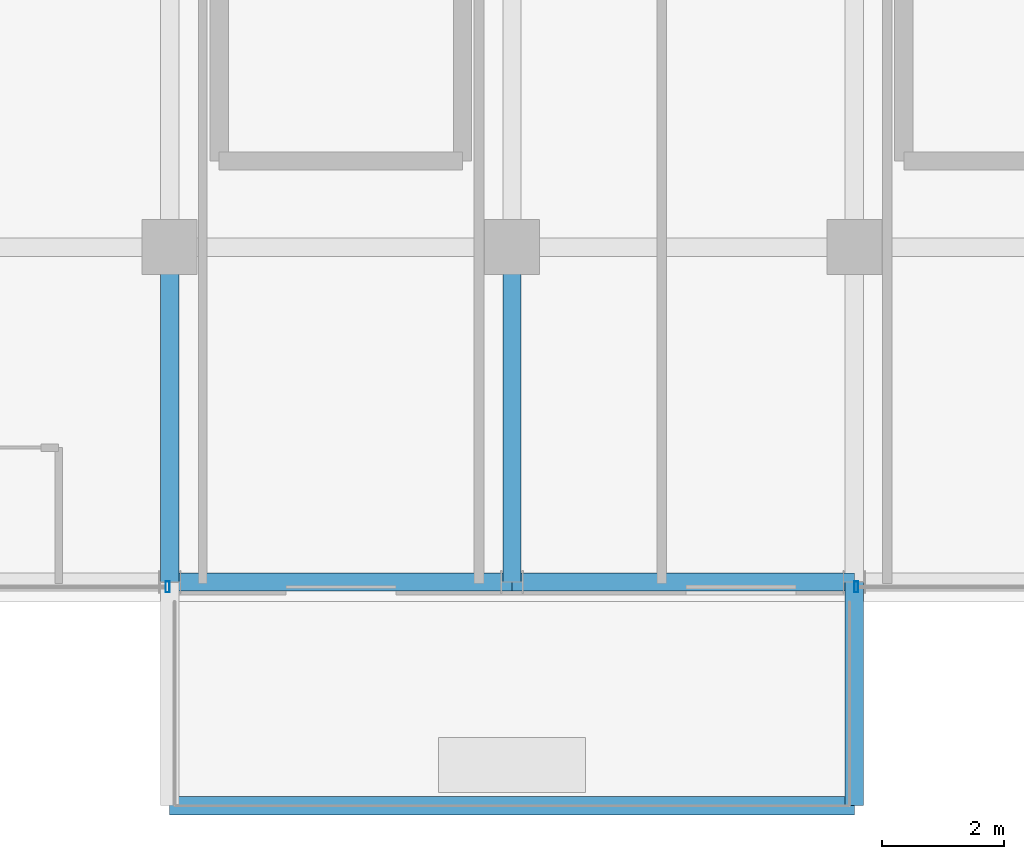
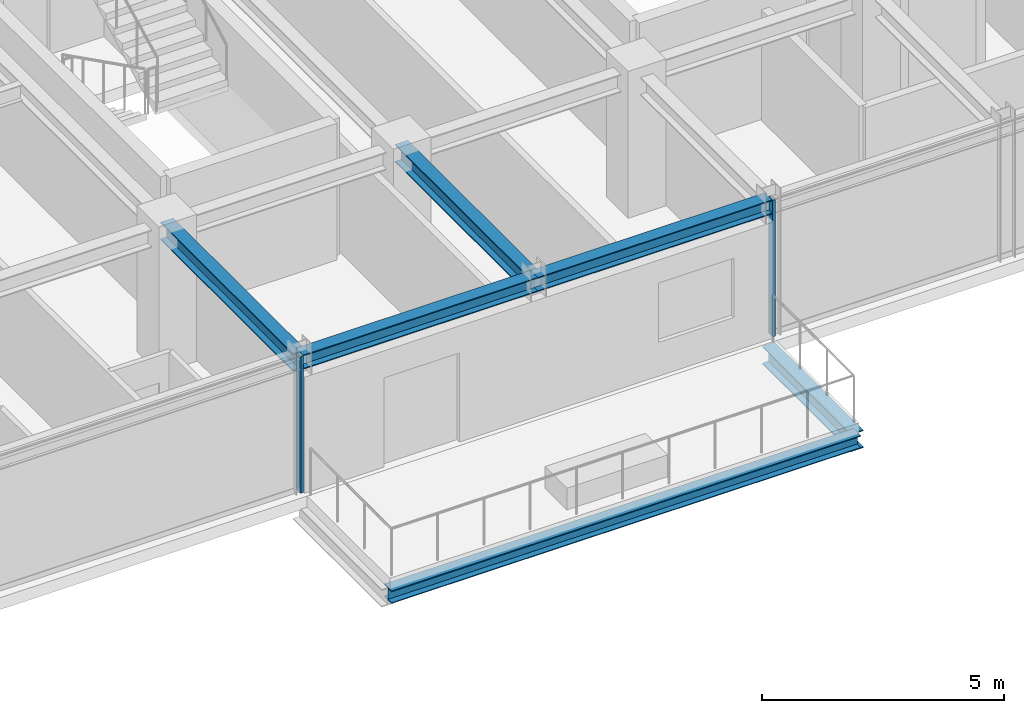
# One storey, part 7 of 31: 6 beams, 2 members, 2 elements without a shape of their own.
"""IFC4 building model written with IfcOpenShell, lengths in metres."""

from ifc_helpers import new_model, si_unit, direction, frame, origin, origin_2d, place, context, subcontext, project, spatial, hollow_rectangle, i_section, extrude, source, transform, mapped, material, material_profile, profile_set, type_object, element, aggregate, save


model = new_model("IFC4")

# Units and contexts
model_context = context("Model", 3, precision=1e-05, world=origin(), true_north=direction((0.0, 1.0)))
body_context = subcontext(model_context, "Body", "Model", "MODEL_VIEW")
ifc_project = project(units=[si_unit("LENGTHUNIT", "METRE"), si_unit("AREAUNIT", "SQUARE_METRE"), si_unit("VOLUMEUNIT", "CUBIC_METRE"), si_unit("PLANEANGLEUNIT", "RADIAN"), si_unit("MASSUNIT", "GRAM", prefix="KILO")], contexts=[model_context])

# Site, building, storey
site_placement = place(None, origin())
site = spatial("IfcSite", under=ifc_project, at=site_placement, CompositionType="ELEMENT")
building_placement = place(site_placement, origin())
building = spatial("IfcBuilding", under=site, at=building_placement, Name="Nahalor Promenade Grand Hotel", CompositionType="ELEMENT")
storey_placement = place(building_placement, frame((0.0, 0.0, 277.550048828125)))
storey = spatial("IfcBuildingStorey", under=building, at=storey_placement, Name="L71", CompositionType="ELEMENT", Elevation=277.550048828125)

# Beams
ifc_material_1 = material(Name="Steel S355JR", Category="steel")
ifc_material_profile_1 = material_profile(ifc_material_1, i_section(OverallWidth=0.3, OverallDepth=0.32, WebThickness=0.0115, FlangeThickness=0.0205, at=origin_2d()), Name="HEB 320")
ifc_profile_set_1 = profile_set([ifc_material_profile_1], Name="Steel S355JR")
beam_type_1 = type_object("IfcBeamType", Name="Beam-BalcEdge-HEB320", PredefinedType="SPANDREL", material=ifc_profile_set_1)
shared_shape_1 = source(origin(), body_context, "Body", "SweptSolid", [
    extrude(i_section(OverallWidth=0.3, OverallDepth=0.32, WebThickness=0.0115, FlangeThickness=0.0205, at=origin_2d()), origin(), (0.0, 0.0, 1.0), 11.199951171875),
])
beam_1_placement = place(storey_placement, frame((-8.39990234375, -26.139892578125, -0.43994140625), z_axis=(1.0, 0.0, 0.0), x_axis=(0.0, 1.0, 0.0)))
element("IfcBeam", 1, at=beam_1_placement, inside=storey, type_object=beam_type_1, Name="BM-L71-BC-01-F", PredefinedType="SPANDREL", context=body_context, shape_type="MappedRepresentation", body=[
    mapped(shared_shape_1, transform((0.0, 0.0, 0.0), scale=1.0)),
])
ifc_material_profile_2 = material_profile(ifc_material_1, i_section(OverallWidth=0.3, OverallDepth=0.45, WebThickness=0.014, FlangeThickness=0.026, at=origin_2d()), Name="HEB 450")
ifc_profile_set_2 = profile_set([ifc_material_profile_2], Name="Steel S355JR")
beam_type_2 = type_object("IfcBeamType", Name="Beam-Outrigger-HEB450", PredefinedType="BEAM", material=ifc_profile_set_2)
shared_shape_2 = source(origin(), body_context, "Body", "SweptSolid", [
    extrude(i_section(OverallWidth=0.3, OverallDepth=0.45, WebThickness=0.014, FlangeThickness=0.026, at=origin_2d()), origin(), (0.0, 0.0, 1.0), 3.659912109375),
])
beam_2_placement = place(storey_placement, frame((2.800048828125, -26.139892578125, -0.505126953125), z_axis=(0.0, 1.0, 0.0), x_axis=(-1.0, 0.0, 0.0)))
element("IfcBeam", 2, at=beam_2_placement, inside=storey, type_object=beam_type_2, Name="BM-L71-BC-01-2", PredefinedType="BEAM", context=body_context, shape_type="MappedRepresentation", body=[
    mapped(shared_shape_2, transform((0.0, 0.0, 0.0), scale=1.0)),
])
ifc_material_profile_3 = material_profile(ifc_material_1, i_section(OverallWidth=0.3, OverallDepth=0.45, WebThickness=0.014, FlangeThickness=0.026, at=origin_2d()), Name="HEB 450")
ifc_profile_set_3 = profile_set([ifc_material_profile_3], Name="Steel S355JR")
beam_type_3 = type_object("IfcBeamType", Name="Beam-Girder-HEB450", PredefinedType="BEAM", material=ifc_profile_set_3)
shared_shape_3 = source(origin(), body_context, "Body", "SweptSolid", [
    extrude(i_section(OverallWidth=0.3, OverallDepth=0.45, WebThickness=0.014, FlangeThickness=0.026, at=origin_2d()), origin(), (0.0, 0.0, 1.0), 5.47998046875),
])
for number, where, z_axis, x_axis, name in (
    (3, (-8.39990234375, -22.47998046875, 3.224853515625), (0.0, 1.0, 0.0), (-1.0, 0.0, 0.0), "BM-L71-GY-1-0"),
    (4, (-2.800048828125, -22.47998046875, 3.224853515625), (0.0, 1.0, 0.0), (-1.0, 0.0, 0.0), "BM-L71-GY-2-0"),
):
    element("IfcBeam", number, at=place(storey_placement, frame(where, z_axis=z_axis, x_axis=x_axis)), inside=storey, type_object=beam_type_3, Name=name, PredefinedType="BEAM", context=body_context, shape_type="MappedRepresentation", body=[
        mapped(shared_shape_3, transform((0.0, 0.0, 0.0), scale=1.0)),
    ])
ifc_material_profile_4 = material_profile(ifc_material_1, i_section(OverallWidth=0.3, OverallDepth=0.36, WebThickness=0.0125, FlangeThickness=0.0225, at=origin_2d()), Name="HEB 360")
ifc_profile_set_4 = profile_set([ifc_material_profile_4], Name="Steel S355JR")
beam_type_4 = type_object("IfcBeamType", Name="Beam-Spandrel-HEB360", PredefinedType="SPANDREL", material=ifc_profile_set_4)
shared_shape_4 = source(origin(), body_context, "Body", "SweptSolid", [
    extrude(i_section(OverallWidth=0.3, OverallDepth=0.36, WebThickness=0.0125, FlangeThickness=0.0225, at=origin_2d()), origin(), (0.0, 0.0, 1.0), 5.599853515625),
])
beam_3_placement = place(storey_placement, frame((-8.39990234375, -22.47998046875, 3.27001953125), z_axis=(1.0, 0.0, 0.0), x_axis=(0.0, 1.0, 0.0)))
element("IfcBeam", 5, at=beam_3_placement, inside=storey, type_object=beam_type_4, Name="BM-L71-SP-S-1", PredefinedType="SPANDREL", context=body_context, shape_type="MappedRepresentation", body=[
    mapped(shared_shape_4, transform((0.0, 0.0, 0.0), scale=1.0)),
])
shared_shape_5 = source(origin(), body_context, "Body", "SweptSolid", [
    extrude(i_section(OverallWidth=0.3, OverallDepth=0.36, WebThickness=0.0125, FlangeThickness=0.0225, at=origin_2d()), origin(), (0.0, 0.0, 1.0), 5.60009765625),
])
beam_4_placement = place(storey_placement, frame((-2.800048828125, -22.47998046875, 3.27001953125), z_axis=(1.0, 0.0, 0.0), x_axis=(0.0, 1.0, 0.0)))
element("IfcBeam", 6, at=beam_4_placement, inside=storey, type_object=beam_type_4, Name="BM-L71-SP-S-2", PredefinedType="SPANDREL", context=body_context, shape_type="MappedRepresentation", body=[
    mapped(shared_shape_5, transform((0.0, 0.0, 0.0), scale=1.0)),
])

# Curtain wall, member
ifc_material_2 = material(Name="Anodised Bronze Aluminium EN AW-6063 T6", Category="aluminium")
curtain_wall_type = type_object("IfcCurtainWallType", Name="CW2 Typical Hotel Flush Bronze Unitised Curtain Wall", PredefinedType="USERDEFINED", material=ifc_material_2)
curtain_wall_1_placement = place(storey_placement, origin())
curtain_wall_1 = element("IfcCurtainWall", 7, at=curtain_wall_1_placement, inside=storey, type_object=curtain_wall_type, Name="L71 Curtain Wall CW-L71-S-1", ObjectType="UNITISED_CURTAIN_WALL", PredefinedType="USERDEFINED")
ifc_material_profile_5 = material_profile(ifc_material_2, hollow_rectangle(XDim=0.065, YDim=0.18, WallThickness=0.004, at=origin_2d()), Name="CWM 65x180x4")
ifc_profile_set_5 = profile_set([ifc_material_profile_5], Name="Anodised Bronze Aluminium EN AW-6063 T6")
member_type = type_object("IfcMemberType", Name="CWM2 Typical Bronze Mullion 65x180", PredefinedType="MULLION", material=ifc_profile_set_5)
shared_shape_6 = source(origin(), body_context, "Body", "SweptSolid", [
    extrude(hollow_rectangle(XDim=0.065, YDim=0.18, WallThickness=0.004, at=origin_2d()), origin(), (0.0, 0.0, 1.0), 3.449951171875),
])
member_1_placement = place(storey_placement, frame((-8.4326171875, -22.56005859375, 0.0), z_axis=(0.0, 0.0, 1.0), x_axis=(1.0, 0.0, 0.0)))
member_1 = element("IfcMember", 8, at=member_1_placement, type_object=member_type, Name="CW-L71-S-1 Mullion 1", PredefinedType="MULLION", context=body_context, shape_type="MappedRepresentation", body=[
    mapped(shared_shape_6, transform((0.0, 0.0, 0.0), scale=1.0)),
])
aggregate(curtain_wall_1, [member_1])

curtain_wall_2_placement = place(storey_placement, origin())
curtain_wall_2 = element("IfcCurtainWall", 9, at=curtain_wall_2_placement, inside=storey, type_object=curtain_wall_type, Name="L71 Curtain Wall CW-L71-S-3", ObjectType="UNITISED_CURTAIN_WALL", PredefinedType="USERDEFINED")
member_2_placement = place(storey_placement, frame((2.83251953125, -22.56005859375, 0.0), z_axis=(0.0, 0.0, 1.0), x_axis=(1.0, 0.0, 0.0)))
member_2 = element("IfcMember", 10, at=member_2_placement, type_object=member_type, Name="CW-L71-S-3 Mullion 0", PredefinedType="MULLION", context=body_context, shape_type="MappedRepresentation", body=[
    mapped(shared_shape_6, transform((0.0, 0.0, 0.0), scale=1.0)),
])
aggregate(curtain_wall_2, [member_2])

save(model, "model.ifc")
